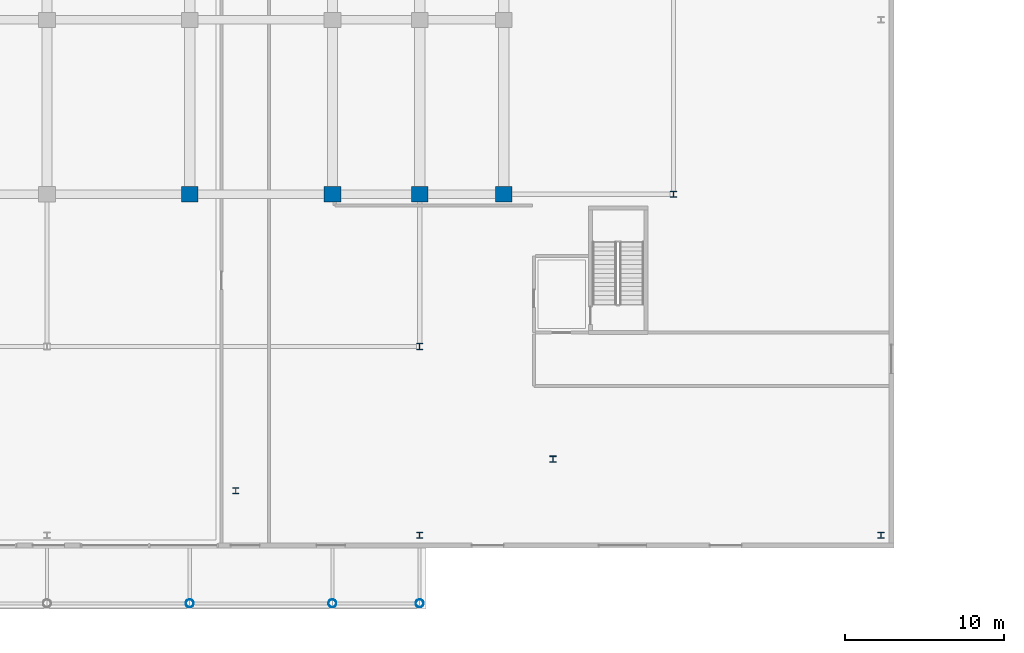
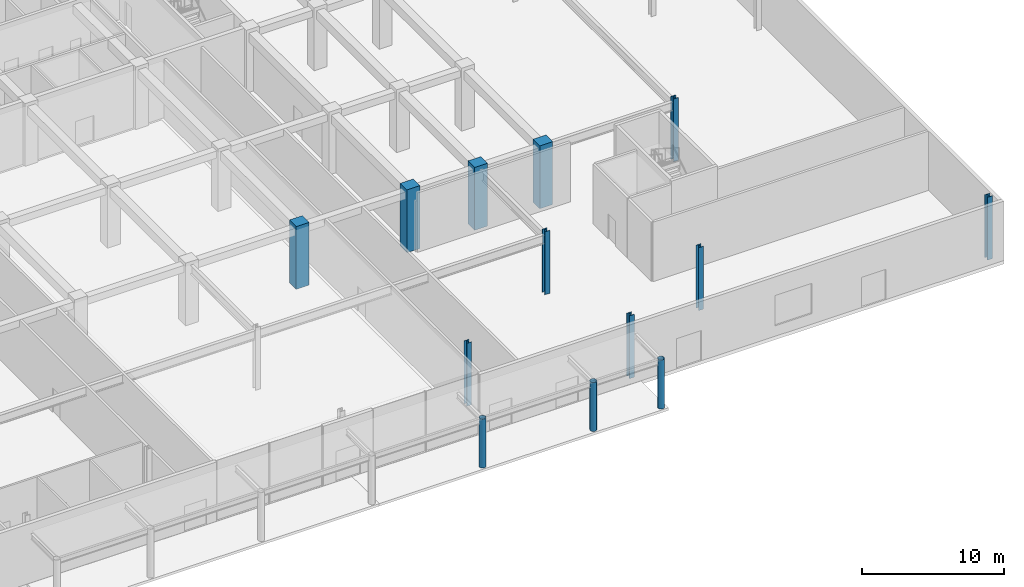
# One storey, part 4 of 46: 13 columns.
"""IFC4 building model written with IfcOpenShell, lengths in metres."""

from ifc_helpers import new_model, si_unit, direction, frame, origin, origin_2d, place, context, subcontext, project, spatial, rectangle, hollow_circle, i_section, extrude, material, material_profile, profile_set, type_object, element, save


model = new_model("IFC4")

# Units and contexts
model_context = context("Model", 3, precision=1e-05, world=origin(), true_north=direction((0.0, 1.0)))
body_context = subcontext(model_context, "Body", "Model", "MODEL_VIEW")
ifc_project = project(units=[si_unit("LENGTHUNIT", "METRE"), si_unit("AREAUNIT", "SQUARE_METRE"), si_unit("VOLUMEUNIT", "CUBIC_METRE"), si_unit("PLANEANGLEUNIT", "RADIAN"), si_unit("MASSUNIT", "GRAM", prefix="KILO")], contexts=[model_context])

# Site, building, storey
site_placement = place(None, origin())
site = spatial("IfcSite", under=ifc_project, at=site_placement, CompositionType="ELEMENT")
building_placement = place(site_placement, origin())
building = spatial("IfcBuilding", under=site, at=building_placement, Name="Korimba Cascade Residences", CompositionType="ELEMENT")
storey_placement = place(building_placement, origin())
storey = spatial("IfcBuildingStorey", under=building, at=storey_placement, Name="L00", CompositionType="ELEMENT", Elevation=0.0)

# Columns
ifc_material_1 = material(Name="Concrete C80/95", Category="concrete")
ifc_material_profile_1 = material_profile(ifc_material_1, rectangle(XDim=1.050048828125, YDim=0.949951171875, at=origin_2d()), Name="Concrete C80/95")
ifc_profile_set_1 = profile_set([ifc_material_profile_1], Name="Concrete C80/95")
column_type_1 = type_object("IfcColumnType", Name="COL-RC-1050", PredefinedType="COLUMN", material=ifc_profile_set_1)
for number, where, z_axis, x_axis, name in (
    (1, (109.10009765625, -4.199951171875, 0.0), (0.0, 0.0, 1.0), (1.0, 0.0, 0.0), "L00 Tower 2 Column 5.1"),
    (2, (118.10009765625, -4.199951171875, 0.0), (0.0, 0.0, 1.0), (1.0, 0.0, 0.0), "L00 Tower 2 Column 6.1"),
    (3, (123.60009765625, -4.199951171875, 0.0), (0.0, 0.0, 1.0), (1.0, 0.0, 0.0), "L00 Tower 2 Column 7.1"),
    (4, (128.89990234375, -4.199951171875, 0.0), (0.0, 0.0, 1.0), (1.0, 0.0, 0.0), "L00 Tower 2 Column 8.1"),
):
    element("IfcColumn", number, at=place(storey_placement, frame(where, z_axis=z_axis, x_axis=x_axis)), inside=storey, type_object=column_type_1, Name=name, PredefinedType="COLUMN", context=body_context, shape_type="SweptSolid", body=[
        extrude(rectangle(XDim=1.050048828125, YDim=0.949951171875, at=origin_2d()), origin(), (0.0, 0.0, 1.0), 5.39990234375),
    ])
ifc_material_2 = material(Name="Steel S355", Category="steel")
ifc_material_profile_2 = material_profile(ifc_material_2, hollow_circle(Radius=0.25390625, WallThickness=0.01611328125, at=origin_2d()), Name="Steel S355")
ifc_profile_set_2 = profile_set([ifc_material_profile_2], Name="Steel S355")
column_type_2 = type_object("IfcColumnType", Name="COL-STL-CHS508", PredefinedType="COLUMN", material=ifc_profile_set_2)
for number, where, z_axis, x_axis, name in (
    (5, (109.10009765625, -30.0, 0.0), (0.0, 0.0, 1.0), (1.0, 0.0, 0.0), "Entrance Canopy Column 5"),
    (6, (118.10009765625, -30.0, 0.0), (0.0, 0.0, 1.0), (1.0, 0.0, 0.0), "Entrance Canopy Column 6"),
    (7, (123.60009765625, -30.0, 0.0), (0.0, 0.0, 1.0), (1.0, 0.0, 0.0), "Entrance Canopy Column 7"),
):
    element("IfcColumn", number, at=place(storey_placement, frame(where, z_axis=z_axis, x_axis=x_axis)), inside=storey, type_object=column_type_2, Name=name, PredefinedType="COLUMN", context=body_context, shape_type="SweptSolid", body=[
        extrude(hollow_circle(Radius=0.25390625, WallThickness=0.01611328125, at=origin_2d()), origin(), (0.0, 0.0, 1.0), 4.199951171875),
    ])
ifc_material_profile_3 = material_profile(ifc_material_2, i_section(OverallWidth=0.39892578125, OverallDepth=0.3935546875, WebThickness=0.022705078125, FlangeThickness=0.03662109375, FilletRadius=0.01513671875, at=origin_2d()), Name="Steel S355")
ifc_profile_set_3 = profile_set([ifc_material_profile_3], Name="Steel S355")
column_type_3 = type_object("IfcColumnType", Name="COL-STL-UC287", PredefinedType="COLUMN", material=ifc_profile_set_3)
for number, where, z_axis, x_axis, name in (
    (8, (139.60009765625, -4.199951171875, 0.0), (0.0, 0.0, 1.0), (1.0, 0.0, 0.0), "L00 Podium Column PCE1"),
    (9, (123.60009765625, -13.800048828125, 0.0), (0.0, 0.0, 1.0), (1.0, 0.0, 0.0), "L00 Podium Column PCS3"),
    (10, (112.0, -22.89990234375, 0.0), (0.0, 0.0, 1.0), (1.0, 0.0, 0.0), "L00 Podium Column PTS2"),
    (11, (132.0, -20.89990234375, 0.0), (0.0, 0.0, 1.0), (1.0, 0.0, 0.0), "L00 Podium Column PTS4"),
    (12, (152.699951171875, -25.699951171875, 0.0), (0.0, 0.0, 1.0), (1.0, 0.0, 0.0), "L00 Podium Column PLE1"),
    (13, (123.60009765625, -25.699951171875, 0.0), (0.0, 0.0, 1.0), (1.0, 0.0, 0.0), "L00 Podium Column PLS3"),
):
    element("IfcColumn", number, at=place(storey_placement, frame(where, z_axis=z_axis, x_axis=x_axis)), inside=storey, type_object=column_type_3, Name=name, PredefinedType="COLUMN", context=body_context, shape_type="SweptSolid", body=[
        extrude(i_section(OverallWidth=0.39892578125, OverallDepth=0.3935546875, WebThickness=0.022705078125, FlangeThickness=0.03662109375, FilletRadius=0.01513671875, at=origin_2d()), origin(), (0.0, 0.0, 1.0), 5.39990234375),
    ])

save(model, "model.ifc")
